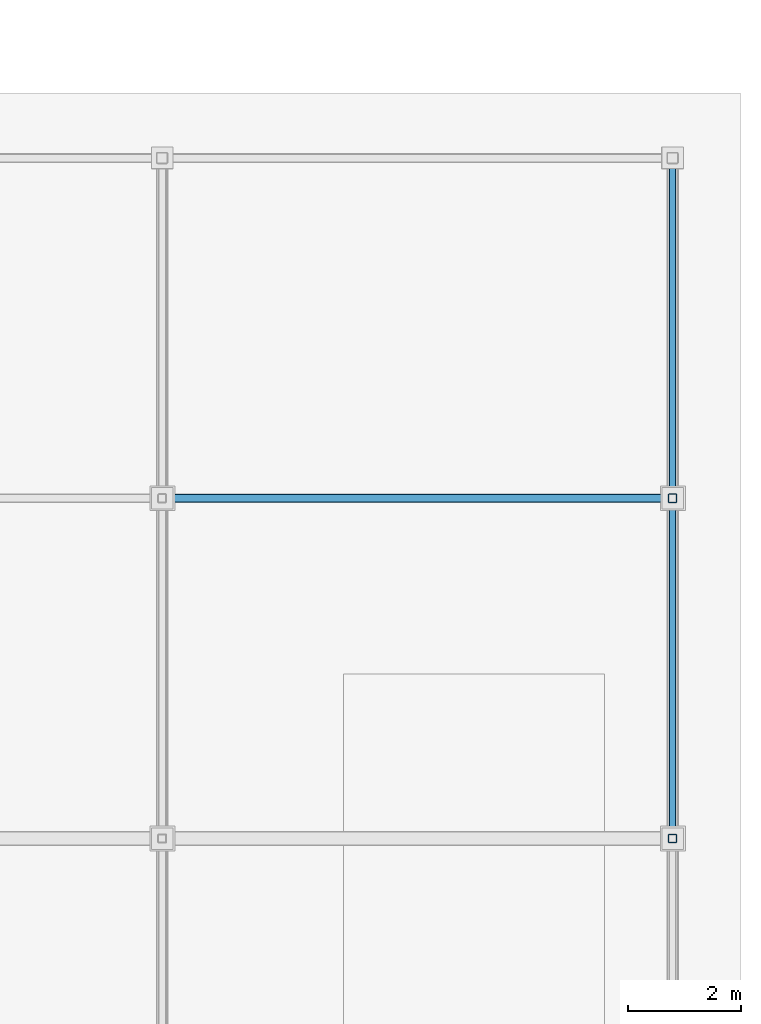
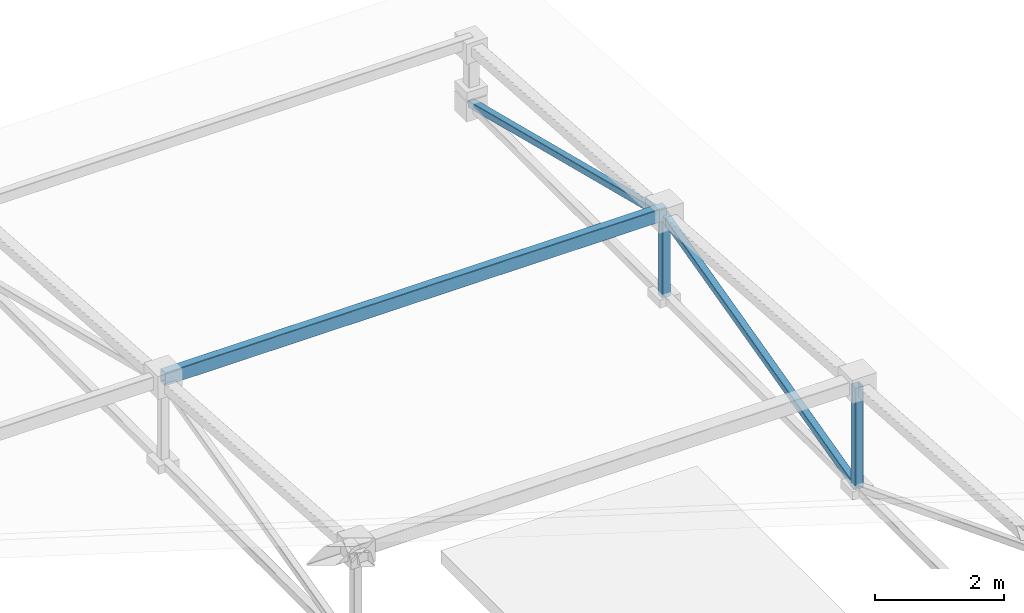
# One storey, part 44 of 85: 5 members.
"""IFC4 building model written with IfcOpenShell, lengths in metres."""

from ifc_helpers import new_model, si_unit, direction, frame, origin, origin_2d, place, context, subcontext, project, spatial, hollow_rectangle, extrude, material, material_profile, profile_set, type_object, element, save


model = new_model("IFC4")

# Units and contexts
model_context = context("Model", 3, precision=1e-05, world=origin(), true_north=direction((0.0, 1.0)))
body_context = subcontext(model_context, "Body", "Model", "MODEL_VIEW")
ifc_project = project(units=[si_unit("LENGTHUNIT", "METRE"), si_unit("AREAUNIT", "SQUARE_METRE"), si_unit("VOLUMEUNIT", "CUBIC_METRE"), si_unit("PLANEANGLEUNIT", "RADIAN"), si_unit("MASSUNIT", "GRAM", prefix="KILO"), si_unit("THERMODYNAMICTEMPERATUREUNIT", "KELVIN"), si_unit("POWERUNIT", "WATT")], contexts=[model_context])

# Site, building, storey
site_placement = place(None, origin())
site = spatial("IfcSite", under=ifc_project, at=site_placement, CompositionType="ELEMENT")
building_placement = place(site_placement, origin())
building = spatial("IfcBuilding", under=site, at=building_placement, Name="Zelmaris Science Centre", CompositionType="ELEMENT")
storey_placement = place(building_placement, frame((0.0, 0.0, 20.39990234375)))
storey = spatial("IfcBuildingStorey", under=building, at=storey_placement, Name="L04", CompositionType="ELEMENT", Elevation=20.39990234375)

# Members
ifc_material = material(Name="Steel ASTM A500 Grade C", Category="steel")
ifc_material_profile_1 = material_profile(ifc_material, hollow_rectangle(XDim=0.15234375, YDim=0.25390625, WallThickness=0.0087890625, InnerFilletRadius=0.0087890625, OuterFilletRadius=0.017822265625, at=origin_2d()), Name="HSS254X152X10")
ifc_profile_set_1 = profile_set([ifc_material_profile_1], Name="Steel ASTM A500 Grade C")
member_type_1 = type_object("IfcMemberType", Name="Roof Purlin PR-01 HSS254X152X10", PredefinedType="PURLIN", material=ifc_profile_set_1)
member_1_placement = place(storey_placement, frame((126.0, 50.0, 2.530029296875), z_axis=(1.0, 0.0, 0.0), x_axis=(0.0, 1.0, 0.0)))
element("IfcMember", 1, at=member_1_placement, inside=storey, type_object=member_type_1, Name="RF-V4 Roof purlin 23", PredefinedType="PURLIN", context=body_context, shape_type="SweptSolid", body=[
    extrude(hollow_rectangle(XDim=0.15234375, YDim=0.25390625, WallThickness=0.0087890625, InnerFilletRadius=0.0087890625, OuterFilletRadius=0.017822265625, at=origin_2d()), origin(), (0.0, 0.0, 1.0), 9.0),
])
ifc_material_profile_2 = material_profile(ifc_material, hollow_rectangle(XDim=0.15234375, YDim=0.15234375, WallThickness=0.0087890625, InnerFilletRadius=0.0087890625, OuterFilletRadius=0.017822265625, at=origin_2d()), Name="HSS152X152X10")
ifc_profile_set_2 = profile_set([ifc_material_profile_2], Name="Steel ASTM A500 Grade C")
member_type_2 = type_object("IfcMemberType", Name="Structural Brace BR-03 HSS152X152X10", PredefinedType="BRACE", material=ifc_profile_set_2)
member_2_placement = place(storey_placement, frame((135.0, 44.0, 0.947998046875), z_axis=(0.0, 0.0, 1.0), x_axis=(1.0, 0.0, 0.0)))
element("IfcMember", 2, at=member_2_placement, inside=storey, type_object=member_type_2, Name="RF-V4 Roof truss 4 vertical web 6", PredefinedType="BRACE", context=body_context, shape_type="SweptSolid", body=[
    extrude(hollow_rectangle(XDim=0.15234375, YDim=0.15234375, WallThickness=0.0087890625, InnerFilletRadius=0.0087890625, OuterFilletRadius=0.017822265625, at=origin_2d()), origin(), (0.0, 0.0, 1.0), 1.9248046875),
])
member_3_placement = place(storey_placement, frame((135.0, 50.0, 0.947998046875), z_axis=(0.0, 0.0, 1.0), x_axis=(1.0, 0.0, 0.0)))
element("IfcMember", 3, at=member_3_placement, inside=storey, type_object=member_type_2, Name="RF-V4 Roof truss 4 vertical web 7", PredefinedType="BRACE", context=body_context, shape_type="SweptSolid", body=[
    extrude(hollow_rectangle(XDim=0.15234375, YDim=0.15234375, WallThickness=0.0087890625, InnerFilletRadius=0.0087890625, OuterFilletRadius=0.017822265625, at=origin_2d()), origin(), (0.0, 0.0, 1.0), 1.512451171875),
])
ifc_material_profile_3 = material_profile(ifc_material, hollow_rectangle(XDim=0.126953125, YDim=0.126953125, WallThickness=0.00732421875, InnerFilletRadius=0.00732421875, OuterFilletRadius=0.014892578125, at=origin_2d()), Name="HSS127X127X8")
ifc_profile_set_3 = profile_set([ifc_material_profile_3], Name="Steel ASTM A500 Grade C")
member_type_3 = type_object("IfcMemberType", Name="Structural Brace BR-04 HSS127X127X8", PredefinedType="BRACE", material=ifc_profile_set_3)
for number, where, z_axis, x_axis, name in (
    (4, (135.0, 44.0, 0.947998046875), (0.0, 0.969667181253, 0.244429044102), (-1.0, 0.0, 0.0), "RF-V4 Roof truss 4 web diagonal 7"),
    (5, (135.0, 50.0, 2.46044921875), (0.0, 0.969667181253, -0.244429044102), (-1.0, 0.0, 0.0), "RF-V4 Roof truss 4 web diagonal 8"),
):
    element("IfcMember", number, at=place(storey_placement, frame(where, z_axis=z_axis, x_axis=x_axis)), inside=storey, type_object=member_type_3, Name=name, PredefinedType="BRACE", context=body_context, shape_type="SweptSolid", body=[
        extrude(hollow_rectangle(XDim=0.126953125, YDim=0.126953125, WallThickness=0.00732421875, InnerFilletRadius=0.00732421875, OuterFilletRadius=0.014892578125, at=origin_2d()), origin(), (0.0, 0.0, 1.0), 6.187744140625),
    ])

save(model, "model.ifc")
